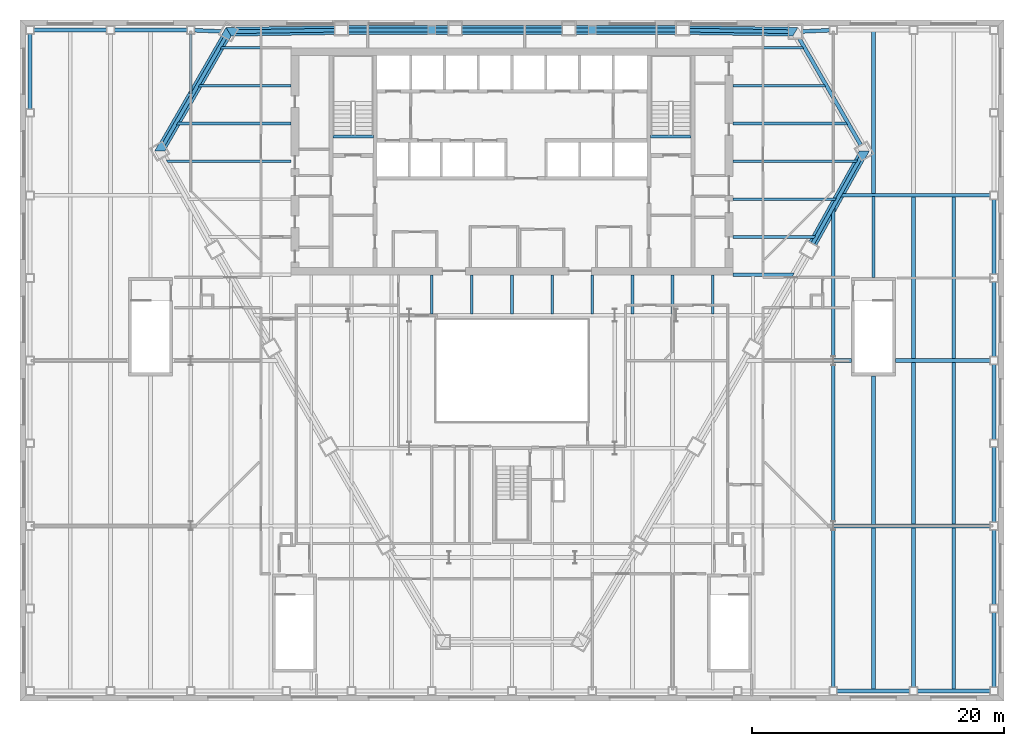
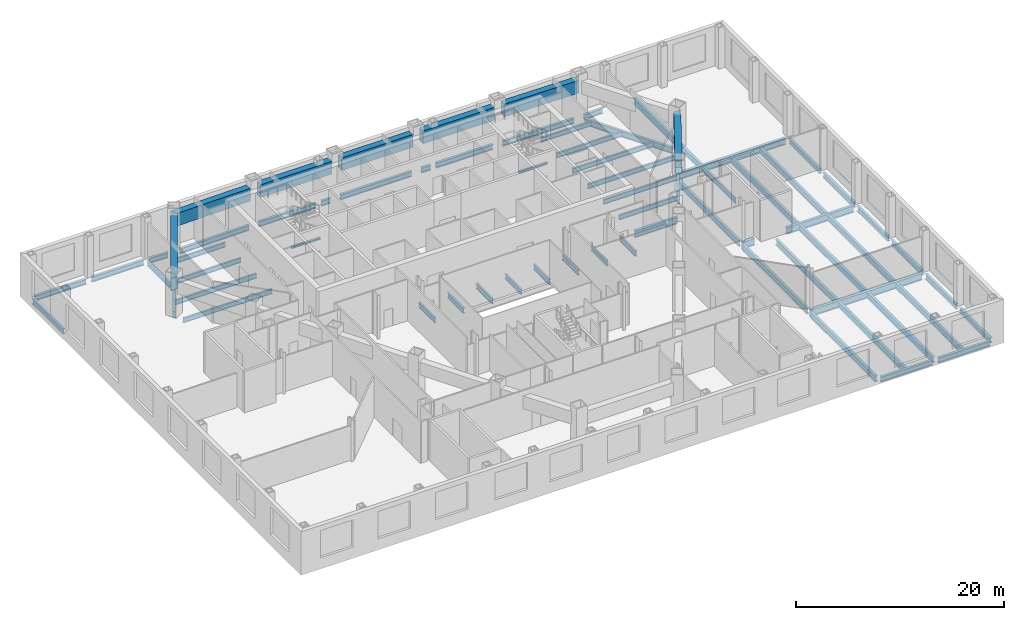
# One storey, part 6 of 17: 69 beams.
"""IFC4 building model written with IfcOpenShell, lengths in metres."""

from ifc_helpers import new_model, si_unit, direction, frame, origin, origin_2d, place, context, subcontext, project, spatial, hollow_rectangle, i_section, extrude, clip, halfspace, material, material_profile, profile_set, type_object, element, save


model = new_model("IFC4")

# Units and contexts
model_context = context("Model", 3, precision=1e-05, world=origin(), true_north=direction((0.0, 1.0)))
body_context = subcontext(model_context, "Body", "Model", "MODEL_VIEW")
ifc_project = project(units=[si_unit("LENGTHUNIT", "METRE"), si_unit("AREAUNIT", "SQUARE_METRE"), si_unit("VOLUMEUNIT", "CUBIC_METRE"), si_unit("PLANEANGLEUNIT", "RADIAN"), si_unit("MASSUNIT", "GRAM", prefix="KILO")], contexts=[model_context])

# Site, building, storey
site_placement = place(None, origin())
site = spatial("IfcSite", under=ifc_project, at=site_placement, CompositionType="ELEMENT")
building_placement = place(site_placement, origin())
building = spatial("IfcBuilding", under=site, at=building_placement, Name="Njiva Tower", CompositionType="ELEMENT")
storey_placement = place(building_placement, frame((0.0, 0.0, 23.7)))
storey = spatial("IfcBuildingStorey", under=building, at=storey_placement, Name="L04", CompositionType="ELEMENT", Elevation=23.7)

# Beams
ifc_material = material(Name="Steel S355 J2", Category="steel")
ifc_material_profile_1 = material_profile(ifc_material, i_section(OverallWidth=0.3, OverallDepth=0.69, WebThickness=0.0145, FlangeThickness=0.027, at=origin_2d()), Name="HEA 700")
ifc_profile_set_1 = profile_set([ifc_material_profile_1], Name="Steel S355 J2")
beam_type_1 = type_object("IfcBeamType", Name="B1 Long-span spandrel beam HEA 700", PredefinedType="SPANDREL", material=ifc_profile_set_1)
beam_1_placement = place(storey_placement, frame((-22.736, 18.791, -0.565), z_axis=(-0.499971337603, -0.866041951395, 0.0), x_axis=(0.866041951395, -0.499971337603, 0.0)))
element("IfcBeam", 1, at=beam_1_placement, inside=storey, type_object=beam_type_1, Name="Long-span spandrel beam L04-B147", PredefinedType="SPANDREL", context=body_context, shape_type="Clipping", body=[
    clip(extrude(i_section(OverallWidth=0.3, OverallDepth=0.69, WebThickness=0.0145, FlangeThickness=0.027, at=origin_2d()), origin(), (0.0, 0.0, 1.0), 9.8456), halfspace(frame((-0.0253, 0.0, 9.7239), z_axis=(-0.500030652022, 0.0, 0.866007706108), x_axis=(0.0, 1.0, 0.0)), False)),
])
beam_2_placement = place(storey_placement, frame((27.648, 10.284, -0.565), z_axis=(-0.500015802937, 0.866016279763, 0.0), x_axis=(-0.866016279763, -0.500015802937, 0.0)))
element("IfcBeam", 2, at=beam_2_placement, inside=storey, type_object=beam_type_1, Name="Long-span spandrel beam L04-B173", PredefinedType="SPANDREL", context=body_context, shape_type="Clipping", body=[
    clip(extrude(i_section(OverallWidth=0.3, OverallDepth=0.69, WebThickness=0.0145, FlangeThickness=0.027, at=origin_2d()), origin(), (0.0, 0.0, 1.0), 9.8447), halfspace(frame((-0.0248, 0.0, 9.7234), z_axis=(-0.500015802937, 0.0, 0.866016279763), x_axis=(0.0, 1.0, 0.0)), False)),
])
ifc_material_profile_2 = material_profile(ifc_material, i_section(OverallWidth=0.21, OverallDepth=0.55, WebThickness=0.0111, FlangeThickness=0.0172, at=origin_2d()), Name="IPE 550")
ifc_profile_set_2 = profile_set([ifc_material_profile_2], Name="Steel S355 J2")
beam_type_2 = type_object("IfcBeamType", Name="B10 Floor beam to the core IPE 550", PredefinedType="BEAM", material=ifc_profile_set_2)
beam_3_placement = place(storey_placement, frame((17.5, 3.0, -0.495), z_axis=(1.0, 0.0, 0.0), x_axis=(0.0, 1.0, 0.0)))
element("IfcBeam", 3, at=beam_3_placement, inside=storey, type_object=beam_type_2, Name="Floor beam to the core L04-B007", PredefinedType="BEAM", context=body_context, shape_type="Clipping", body=[
    clip(extrude(i_section(OverallWidth=0.21, OverallDepth=0.55, WebThickness=0.0111, FlangeThickness=0.0172, at=origin_2d()), origin(), (0.0, 0.0, 1.0), 6.591), halfspace(frame((-0.0244, 0.0, 6.4981), z_axis=(-0.487051738924, 0.0, 0.87337311821), x_axis=(0.0, 1.0, 0.0)), False)),
])
beam_4_placement = place(storey_placement, frame((17.5, 6.0, -0.495), z_axis=(1.0, 0.0, 0.0), x_axis=(0.0, 1.0, 0.0)))
element("IfcBeam", 4, at=beam_4_placement, inside=storey, type_object=beam_type_2, Name="Floor beam to the core L04-B008", PredefinedType="BEAM", context=body_context, shape_type="Clipping", body=[
    clip(extrude(i_section(OverallWidth=0.21, OverallDepth=0.55, WebThickness=0.0111, FlangeThickness=0.0172, at=origin_2d()), origin(), (0.0, 0.0, 1.0), 8.264), halfspace(frame((-0.0244, 0.0, 8.171), z_axis=(-0.487051738924, 0.0, 0.87337311821), x_axis=(0.0, 1.0, 0.0)), False)),
])
beam_5_placement = place(storey_placement, frame((-26.622, 12.0, -0.495), z_axis=(1.0, 0.0, 0.0), x_axis=(0.0, 1.0, 0.0)))
element("IfcBeam", 5, at=beam_5_placement, inside=storey, type_object=beam_type_2, Name="Floor beam to the core L04-B002", PredefinedType="BEAM", context=body_context, shape_type="Clipping", body=[
    clip(extrude(i_section(OverallWidth=0.21, OverallDepth=0.55, WebThickness=0.0111, FlangeThickness=0.0172, at=origin_2d()), origin(), (0.0, 0.0, 1.0), 9.122), halfspace(frame((0.025, 0.0, 0.0951), z_axis=(0.499998009787, 0.0, -0.866026552831), x_axis=(0.0, -1.0, 0.0)), False)),
])
beam_6_placement = place(storey_placement, frame((17.5, 12.0, -0.495), z_axis=(1.0, 0.0, 0.0), x_axis=(0.0, 1.0, 0.0)))
element("IfcBeam", 6, at=beam_6_placement, inside=storey, type_object=beam_type_2, Name="Floor beam to the core L04-B010", PredefinedType="BEAM", context=body_context, shape_type="Clipping", body=[
    clip(extrude(i_section(OverallWidth=0.21, OverallDepth=0.55, WebThickness=0.0111, FlangeThickness=0.0172, at=origin_2d()), origin(), (0.0, 0.0, 1.0), 9.122), halfspace(frame((0.025, 0.0, 9.0269), z_axis=(0.499998009787, 0.0, 0.866026552831), x_axis=(0.0, 1.0, 0.0)), False)),
])
beam_7_placement = place(storey_placement, frame((-24.89, 15.0, -0.495), z_axis=(1.0, 0.0, 0.0), x_axis=(0.0, 1.0, 0.0)))
element("IfcBeam", 7, at=beam_7_placement, inside=storey, type_object=beam_type_2, Name="Floor beam to the core L04-B004", PredefinedType="BEAM", context=body_context, shape_type="Clipping", body=[
    clip(extrude(i_section(OverallWidth=0.21, OverallDepth=0.55, WebThickness=0.0111, FlangeThickness=0.0172, at=origin_2d()), origin(), (0.0, 0.0, 1.0), 7.39), halfspace(frame((0.025, 0.0, 0.0951), z_axis=(0.499998009787, 0.0, -0.866026552831), x_axis=(0.0, -1.0, 0.0)), False)),
])
beam_8_placement = place(storey_placement, frame((17.5, 15.0, -0.495), z_axis=(1.0, 0.0, 0.0), x_axis=(0.0, 1.0, 0.0)))
element("IfcBeam", 8, at=beam_8_placement, inside=storey, type_object=beam_type_2, Name="Floor beam to the core L04-B011", PredefinedType="BEAM", context=body_context, shape_type="Clipping", body=[
    clip(extrude(i_section(OverallWidth=0.21, OverallDepth=0.55, WebThickness=0.0111, FlangeThickness=0.0172, at=origin_2d()), origin(), (0.0, 0.0, 1.0), 7.39), halfspace(frame((0.025, 0.0, 7.2949), z_axis=(0.499998009787, 0.0, 0.866026552831), x_axis=(0.0, 1.0, 0.0)), False)),
])
beam_9_placement = place(storey_placement, frame((-23.158, 18.0, -0.495), z_axis=(1.0, 0.0, 0.0), x_axis=(0.0, 1.0, 0.0)))
element("IfcBeam", 9, at=beam_9_placement, inside=storey, type_object=beam_type_2, Name="Floor beam to the core L04-B006", PredefinedType="BEAM", context=body_context, shape_type="Clipping", body=[
    clip(extrude(i_section(OverallWidth=0.21, OverallDepth=0.55, WebThickness=0.0111, FlangeThickness=0.0172, at=origin_2d()), origin(), (0.0, 0.0, 1.0), 5.658), halfspace(frame((0.025, 0.0, 0.0952), z_axis=(0.499998009787, 0.0, -0.866026552831), x_axis=(0.0, -1.0, 0.0)), False)),
])
beam_10_placement = place(storey_placement, frame((17.5, 18.0, -0.495), z_axis=(1.0, 0.0, 0.0), x_axis=(0.0, 1.0, 0.0)))
element("IfcBeam", 10, at=beam_10_placement, inside=storey, type_object=beam_type_2, Name="Floor beam to the core L04-B012", PredefinedType="BEAM", context=body_context, shape_type="Clipping", body=[
    clip(extrude(i_section(OverallWidth=0.21, OverallDepth=0.55, WebThickness=0.0111, FlangeThickness=0.0172, at=origin_2d()), origin(), (0.0, 0.0, 1.0), 5.658), halfspace(frame((0.025, 0.0, 5.5628), z_axis=(0.499998009787, 0.0, 0.866026552831), x_axis=(0.0, 1.0, 0.0)), False)),
])
ifc_material_profile_3 = material_profile(ifc_material, i_section(OverallWidth=0.21, OverallDepth=0.55, WebThickness=0.0111, FlangeThickness=0.0172, at=origin_2d()), Name="IPE 550")
ifc_profile_set_3 = profile_set([ifc_material_profile_3], Name="Steel S355 J2")
beam_type_3 = type_object("IfcBeamType", Name="B11 Long-span floor beam to the core IPE 550", PredefinedType="BEAM", material=ifc_profile_set_3)
beam_11_placement = place(storey_placement, frame((-27.437, 9.0, -0.495), z_axis=(1.0, 0.0, 0.0), x_axis=(0.0, 1.0, 0.0)))
element("IfcBeam", 11, at=beam_11_placement, inside=storey, type_object=beam_type_3, Name="Long-span floor beam to the core L04-B001", PredefinedType="BEAM", context=body_context, shape_type="Clipping", body=[
    clip(extrude(i_section(OverallWidth=0.21, OverallDepth=0.55, WebThickness=0.0111, FlangeThickness=0.0172, at=origin_2d()), origin(), (0.0, 0.0, 1.0), 9.937), halfspace(frame((-0.0244, 0.0, 0.093), z_axis=(-0.487051738924, 0.0, -0.87337311821), x_axis=(0.0, -1.0, 0.0)), False)),
])
beam_12_placement = place(storey_placement, frame((17.5, 9.0, -0.495), z_axis=(1.0, 0.0, 0.0), x_axis=(0.0, 1.0, 0.0)))
element("IfcBeam", 12, at=beam_12_placement, inside=storey, type_object=beam_type_3, Name="Long-span floor beam to the core L04-B009", PredefinedType="BEAM", context=body_context, shape_type="Clipping", body=[
    clip(extrude(i_section(OverallWidth=0.21, OverallDepth=0.55, WebThickness=0.0111, FlangeThickness=0.0172, at=origin_2d()), origin(), (0.0, 0.0, 1.0), 9.937), halfspace(frame((-0.0244, 0.0, 9.844), z_axis=(-0.487051738924, 0.0, 0.87337311821), x_axis=(0.0, 1.0, 0.0)), False)),
])
ifc_material_profile_4 = material_profile(ifc_material, i_section(OverallWidth=0.3, OverallDepth=0.69, WebThickness=0.0145, FlangeThickness=0.027, at=origin_2d()), Name="HEA 700")
ifc_profile_set_4 = profile_set([ifc_material_profile_4], Name="Steel S355 J2")
beam_type_4 = type_object("IfcBeamType", Name="B12 Long-span floor joist HEA 700", PredefinedType="JOIST", material=ifc_profile_set_4)
beam_13_placement = place(storey_placement, frame((25.467, 5.288, -0.565), z_axis=(0.0, -1.0, 0.0), x_axis=(1.0, 0.0, 0.0)))
element("IfcBeam", 13, at=beam_13_placement, inside=storey, type_object=beam_type_4, Name="Long-span floor joist L04-B116", PredefinedType="JOIST", context=body_context, shape_type="SweptSolid", body=[
    extrude(i_section(OverallWidth=0.3, OverallDepth=0.69, WebThickness=0.0145, FlangeThickness=0.027, at=origin_2d()), origin(), (0.0, 0.0, 1.0), 11.78),
])
beam_14_placement = place(storey_placement, frame((25.467, -7.108, -0.565), z_axis=(0.0, -1.0, 0.0), x_axis=(1.0, 0.0, 0.0)))
element("IfcBeam", 14, at=beam_14_placement, inside=storey, type_object=beam_type_4, Name="Long-span floor joist L04-B115", PredefinedType="JOIST", context=body_context, shape_type="SweptSolid", body=[
    extrude(i_section(OverallWidth=0.3, OverallDepth=0.69, WebThickness=0.0145, FlangeThickness=0.027, at=origin_2d()), origin(), (0.0, 0.0, 1.0), 12.484),
])
beam_15_placement = place(storey_placement, frame((25.467, -20.208, -0.565), z_axis=(0.0, -1.0, 0.0), x_axis=(1.0, 0.0, 0.0)))
element("IfcBeam", 15, at=beam_15_placement, inside=storey, type_object=beam_type_4, Name="Long-span floor joist L04-B114", PredefinedType="JOIST", context=body_context, shape_type="SweptSolid", body=[
    extrude(i_section(OverallWidth=0.3, OverallDepth=0.69, WebThickness=0.0145, FlangeThickness=0.027, at=origin_2d()), origin(), (0.0, 0.0, 1.0), 12.492),
])
beam_16_placement = place(storey_placement, frame((28.65, 19.3, -0.565), z_axis=(0.0, -1.0, 0.0), x_axis=(1.0, 0.0, 0.0)))
element("IfcBeam", 16, at=beam_16_placement, inside=storey, type_object=beam_type_4, Name="Long-span floor joist L04-B121", PredefinedType="JOIST", context=body_context, shape_type="SweptSolid", body=[
    extrude(i_section(OverallWidth=0.3, OverallDepth=0.69, WebThickness=0.0145, FlangeThickness=0.027, at=origin_2d()), origin(), (0.0, 0.0, 1.0), 12.9),
])
beam_17_placement = place(storey_placement, frame((28.65, -8.0, -0.565), z_axis=(0.0, -1.0, 0.0), x_axis=(1.0, 0.0, 0.0)))
element("IfcBeam", 17, at=beam_17_placement, inside=storey, type_object=beam_type_4, Name="Long-span floor joist L04-B119", PredefinedType="JOIST", context=body_context, shape_type="SweptSolid", body=[
    extrude(i_section(OverallWidth=0.3, OverallDepth=0.69, WebThickness=0.0145, FlangeThickness=0.027, at=origin_2d()), origin(), (0.0, 0.0, 1.0), 11.8),
])
for number, where, z_axis, x_axis, name in (
    (18, (28.65, -20.0, -0.565), (0.0, -1.0, 0.0), (1.0, 0.0, 0.0), "Long-span floor joist L04-B118"),
    (19, (31.833, 6.2, -0.565), (0.0, -1.0, 0.0), (1.0, 0.0, 0.0), "Long-span floor joist L04-B124"),
    (20, (31.833, -6.9, -0.565), (0.0, -1.0, 0.0), (1.0, 0.0, 0.0), "Long-span floor joist L04-B123"),
):
    element("IfcBeam", number, at=place(storey_placement, frame(where, z_axis=z_axis, x_axis=x_axis)), inside=storey, type_object=beam_type_4, Name=name, PredefinedType="JOIST", context=body_context, shape_type="SweptSolid", body=[
        extrude(i_section(OverallWidth=0.3, OverallDepth=0.69, WebThickness=0.0145, FlangeThickness=0.027, at=origin_2d()), origin(), (0.0, 0.0, 1.0), 12.9),
    ])
beam_18_placement = place(storey_placement, frame((31.833, -20.0, -0.565), z_axis=(0.0, -1.0, 0.0), x_axis=(1.0, 0.0, 0.0)))
element("IfcBeam", 21, at=beam_18_placement, inside=storey, type_object=beam_type_4, Name="Long-span floor joist L04-B122", PredefinedType="JOIST", context=body_context, shape_type="SweptSolid", body=[
    extrude(i_section(OverallWidth=0.3, OverallDepth=0.69, WebThickness=0.0145, FlangeThickness=0.027, at=origin_2d()), origin(), (0.0, 0.0, 1.0), 12.7),
])
for number, where, z_axis, x_axis, name in (
    (22, (35.017, 6.2, -0.565), (0.0, -1.0, 0.0), (1.0, 0.0, 0.0), "Long-span floor joist L04-B128"),
    (23, (35.017, -6.9, -0.565), (0.0, -1.0, 0.0), (1.0, 0.0, 0.0), "Long-span floor joist L04-B127"),
    (24, (35.017, -20.0, -0.565), (0.0, -1.0, 0.0), (1.0, 0.0, 0.0), "Long-span floor joist L04-B126"),
):
    element("IfcBeam", number, at=place(storey_placement, frame(where, z_axis=z_axis, x_axis=x_axis)), inside=storey, type_object=beam_type_4, Name=name, PredefinedType="JOIST", context=body_context, shape_type="SweptSolid", body=[
        extrude(i_section(OverallWidth=0.3, OverallDepth=0.69, WebThickness=0.0145, FlangeThickness=0.027, at=origin_2d()), origin(), (0.0, 0.0, 1.0), 12.9),
    ])
ifc_material_profile_5 = material_profile(ifc_material, i_section(OverallWidth=0.22, OverallDepth=0.6, WebThickness=0.012, FlangeThickness=0.019, at=origin_2d()), Name="IPE 600")
ifc_profile_set_5 = profile_set([ifc_material_profile_5], Name="Steel S355 J2")
beam_type_5 = type_object("IfcBeamType", Name="B13 Floor joist IPE 600", PredefinedType="JOIST", material=ifc_profile_set_5)
beam_19_placement = place(storey_placement, frame((-25.467, 19.1, -0.52), z_axis=(0.0, -1.0, 0.0), x_axis=(1.0, 0.0, 0.0)))
element("IfcBeam", 25, at=beam_19_placement, inside=storey, type_object=beam_type_5, Name="Floor joist L04-B051", PredefinedType="JOIST", context=body_context, shape_type="SweptSolid", body=[
    extrude(i_section(OverallWidth=0.22, OverallDepth=0.6, WebThickness=0.012, FlangeThickness=0.019, at=origin_2d()), origin(), (0.0, 0.0, 1.0), 4.772),
])
beam_20_placement = place(storey_placement, frame((28.65, 6.2, -0.52), z_axis=(0.0, -1.0, 0.0), x_axis=(1.0, 0.0, 0.0)))
element("IfcBeam", 26, at=beam_20_placement, inside=storey, type_object=beam_type_5, Name="Floor joist L04-B120", PredefinedType="JOIST", context=body_context, shape_type="SweptSolid", body=[
    extrude(i_section(OverallWidth=0.22, OverallDepth=0.6, WebThickness=0.012, FlangeThickness=0.019, at=origin_2d()), origin(), (0.0, 0.0, 1.0), 6.4),
])
ifc_material_profile_6 = material_profile(ifc_material, i_section(OverallWidth=0.22, OverallDepth=0.6, WebThickness=0.012, FlangeThickness=0.019, at=origin_2d()), Name="IPE 600")
ifc_profile_set_6 = profile_set([ifc_material_profile_6], Name="Steel S355 J2")
beam_type_6 = type_object("IfcBeamType", Name="B14 Short-span floor joist IPE 600", PredefinedType="JOIST", material=ifc_profile_set_6)
for number, where, z_axis, x_axis, name in (
    (27, (-6.367, -0.005, -0.52), (0.0, -1.0, 0.0), (1.0, 0.0, 0.0), "Short-span floor joist L04-B076"),
    (28, (-3.183, -0.005, -0.52), (0.0, -1.0, 0.0), (1.0, 0.0, 0.0), "Short-span floor joist L04-B080"),
    (29, (0.0, -0.005, -0.52), (0.0, -1.0, 0.0), (1.0, 0.0, 0.0), "Short-span floor joist L04-B084"),
    (30, (3.183, -0.005, -0.52), (0.0, -1.0, 0.0), (1.0, 0.0, 0.0), "Short-span floor joist L04-B088"),
    (31, (6.367, -0.005, -0.52), (0.0, -1.0, 0.0), (1.0, 0.0, 0.0), "Short-span floor joist L04-B092"),
):
    element("IfcBeam", number, at=place(storey_placement, frame(where, z_axis=z_axis, x_axis=x_axis)), inside=storey, type_object=beam_type_6, Name=name, PredefinedType="JOIST", context=body_context, shape_type="SweptSolid", body=[
        extrude(i_section(OverallWidth=0.22, OverallDepth=0.6, WebThickness=0.012, FlangeThickness=0.019, at=origin_2d()), origin(), (0.0, 0.0, 1.0), 3.094),
    ])
for number, where, z_axis, x_axis, name in (
    (32, (9.55, -0.005, -0.52), (0.0, -1.0, 0.0), (1.0, 0.0, 0.0), "Short-span floor joist L04-B096"),
    (33, (12.733, -0.005, -0.52), (0.0, -1.0, 0.0), (1.0, 0.0, 0.0), "Short-span floor joist L04-B101"),
    (34, (15.917, -0.005, -0.52), (0.0, -1.0, 0.0), (1.0, 0.0, 0.0), "Short-span floor joist L04-B106"),
):
    element("IfcBeam", number, at=place(storey_placement, frame(where, z_axis=z_axis, x_axis=x_axis)), inside=storey, type_object=beam_type_6, Name=name, PredefinedType="JOIST", context=body_context, shape_type="SweptSolid", body=[
        extrude(i_section(OverallWidth=0.22, OverallDepth=0.6, WebThickness=0.012, FlangeThickness=0.019, at=origin_2d()), origin(), (0.0, 0.0, 1.0), 3.095),
    ])
ifc_material_profile_7 = material_profile(ifc_material, i_section(OverallWidth=0.3, OverallDepth=0.6, WebThickness=0.0155, FlangeThickness=0.03, at=origin_2d()), Name="HEB 600")
ifc_profile_set_7 = profile_set([ifc_material_profile_7], Name="Steel S355 J2")
beam_type_7 = type_object("IfcBeamType", Name="B2 Spandrel beam HEB 600", PredefinedType="SPANDREL", material=ifc_profile_set_7)
beam_21_placement = place(storey_placement, frame((23.837, 2.482, -0.52), z_axis=(0.487077780218, 0.873358595319, 0.0), x_axis=(-0.873358595319, 0.487077780218, 0.0)))
element("IfcBeam", 35, at=beam_21_placement, inside=storey, type_object=beam_type_7, Name="Spandrel beam L04-B175", PredefinedType="SPANDREL", context=body_context, shape_type="Clipping", body=[
    clip(extrude(i_section(OverallWidth=0.3, OverallDepth=0.6, WebThickness=0.0155, FlangeThickness=0.03, at=origin_2d()), origin(), (0.0, 0.0, 1.0), 7.8582), halfspace(frame((-0.0257, 0.0, 7.7326), z_axis=(-0.51281381297, 0.0, 0.858499850453), x_axis=(0.0, 1.0, 0.0)), False)),
])
for number, where, z_axis, x_axis, name in (
    (36, (38.2, -32.7, -0.52), (0.0, 1.0, 0.0), (-1.0, 0.0, 0.0), "Spandrel beam L04-B180"),
    (37, (38.2, -26.15, -0.52), (0.0, 1.0, 0.0), (-1.0, 0.0, 0.0), "Spandrel beam L04-B181"),
    (38, (38.2, -19.6, -0.52), (0.0, 1.0, 0.0), (-1.0, 0.0, 0.0), "Spandrel beam L04-B182"),
    (39, (38.2, -13.05, -0.52), (0.0, 1.0, 0.0), (-1.0, 0.0, 0.0), "Spandrel beam L04-B183"),
    (40, (38.2, -6.5, -0.52), (0.0, 1.0, 0.0), (-1.0, 0.0, 0.0), "Spandrel beam L04-B184"),
    (41, (38.2, 0.05, -0.52), (0.0, 1.0, 0.0), (-1.0, 0.0, 0.0), "Spandrel beam L04-B185"),
    (42, (-38.2, 19.1, -0.52), (0.0, -1.0, 0.0), (1.0, 0.0, 0.0), "Spandrel beam L04-B141"),
):
    element("IfcBeam", number, at=place(storey_placement, frame(where, z_axis=z_axis, x_axis=x_axis)), inside=storey, type_object=beam_type_7, Name=name, PredefinedType="SPANDREL", context=body_context, shape_type="SweptSolid", body=[
        extrude(i_section(OverallWidth=0.3, OverallDepth=0.6, WebThickness=0.0155, FlangeThickness=0.03, at=origin_2d()), origin(), (0.0, 0.0, 1.0), 5.95),
    ])
beam_22_placement = place(storey_placement, frame((25.767, -33.0, -0.52), z_axis=(1.0, 0.0, 0.0), x_axis=(0.0, 1.0, 0.0)))
element("IfcBeam", 43, at=beam_22_placement, inside=storey, type_object=beam_type_7, Name="Spandrel beam L04-B176", PredefinedType="SPANDREL", context=body_context, shape_type="SweptSolid", body=[
    extrude(i_section(OverallWidth=0.3, OverallDepth=0.6, WebThickness=0.0155, FlangeThickness=0.03, at=origin_2d()), origin(), (0.0, 0.0, 1.0), 5.766),
])
for number, where, z_axis, x_axis, name in (
    (44, (32.133, -33.0, -0.52), (1.0, 0.0, 0.0), (0.0, 1.0, 0.0), "Spandrel beam L04-B178"),
    (45, (-37.9, 19.4, -0.52), (1.0, 0.0, 0.0), (0.0, 1.0, 0.0), "Spandrel beam L04-B143"),
):
    element("IfcBeam", number, at=place(storey_placement, frame(where, z_axis=z_axis, x_axis=x_axis)), inside=storey, type_object=beam_type_7, Name=name, PredefinedType="SPANDREL", context=body_context, shape_type="SweptSolid", body=[
        extrude(i_section(OverallWidth=0.3, OverallDepth=0.6, WebThickness=0.0155, FlangeThickness=0.03, at=origin_2d()), origin(), (0.0, 0.0, 1.0), 5.767),
    ])
beam_23_placement = place(storey_placement, frame((-31.533, 19.4, -0.52), z_axis=(1.0, 0.0, 0.0), x_axis=(0.0, 1.0, 0.0)))
element("IfcBeam", 46, at=beam_23_placement, inside=storey, type_object=beam_type_7, Name="Spandrel beam L04-B145", PredefinedType="SPANDREL", context=body_context, shape_type="SweptSolid", body=[
    extrude(i_section(OverallWidth=0.3, OverallDepth=0.6, WebThickness=0.0155, FlangeThickness=0.03, at=origin_2d()), origin(), (0.0, 0.0, 1.0), 5.766),
])
beam_24_placement = place(storey_placement, frame((-21.93, 19.2744, -0.52), z_axis=(0.99988785754, 0.014975725174, 0.0), x_axis=(-0.014975725174, 0.99988785754, 0.0)))
element("IfcBeam", 47, at=beam_24_placement, inside=storey, type_object=beam_type_7, Name="Spandrel beam L04-B151", PredefinedType="SPANDREL", context=body_context, shape_type="Clipping", body=[
    clip(extrude(i_section(OverallWidth=0.3, OverallDepth=0.6, WebThickness=0.0155, FlangeThickness=0.03, at=origin_2d()), origin(), (0.0, 0.0, 1.0), 7.8559), halfspace(frame((0.0261, 0.0, 0.1249), z_axis=(0.512911314429, 0.0, -0.858441601701), x_axis=(0.0, -1.0, 0.0)), False)),
])
beam_25_placement = place(storey_placement, frame((-12.973, 19.4, -0.52), z_axis=(1.0, 0.0, 0.0), x_axis=(0.0, 1.0, 0.0)))
element("IfcBeam", 48, at=beam_25_placement, inside=storey, type_object=beam_type_7, Name="Spandrel beam L04-B155", PredefinedType="SPANDREL", context=body_context, shape_type="SweptSolid", body=[
    extrude(i_section(OverallWidth=0.3, OverallDepth=0.6, WebThickness=0.0155, FlangeThickness=0.03, at=origin_2d()), origin(), (0.0, 0.0, 1.0), 6.306),
])
beam_26_placement = place(storey_placement, frame((-3.958, 19.4, -0.52), z_axis=(1.0, 0.0, 0.0), x_axis=(0.0, 1.0, 0.0)))
element("IfcBeam", 49, at=beam_26_placement, inside=storey, type_object=beam_type_7, Name="Spandrel beam L04-B161", PredefinedType="SPANDREL", context=body_context, shape_type="SweptSolid", body=[
    extrude(i_section(OverallWidth=0.3, OverallDepth=0.6, WebThickness=0.0155, FlangeThickness=0.03, at=origin_2d()), origin(), (0.0, 0.0, 1.0), 7.916),
])
beam_27_placement = place(storey_placement, frame((6.667, 19.4, -0.52), z_axis=(1.0, 0.0, 0.0), x_axis=(0.0, 1.0, 0.0)))
element("IfcBeam", 50, at=beam_27_placement, inside=storey, type_object=beam_type_7, Name="Spandrel beam L04-B166", PredefinedType="SPANDREL", context=body_context, shape_type="SweptSolid", body=[
    extrude(i_section(OverallWidth=0.3, OverallDepth=0.6, WebThickness=0.0155, FlangeThickness=0.03, at=origin_2d()), origin(), (0.0, 0.0, 1.0), 6.306),
])
beam_28_placement = place(storey_placement, frame((14.075, 19.392, -0.52), z_axis=(0.999888493047, -0.014933233812, 0.0), x_axis=(0.014933233812, 0.999888493047, 0.0)))
element("IfcBeam", 51, at=beam_28_placement, inside=storey, type_object=beam_type_7, Name="Spandrel beam L04-B169", PredefinedType="SPANDREL", context=body_context, shape_type="SweptSolid", body=[
    extrude(i_section(OverallWidth=0.3, OverallDepth=0.6, WebThickness=0.0155, FlangeThickness=0.03, at=origin_2d()), origin(), (0.0, 0.0, 1.0), 7.8349),
])
ifc_material_profile_8 = material_profile(ifc_material, i_section(OverallWidth=0.3, OverallDepth=0.6, WebThickness=0.0155, FlangeThickness=0.03, at=origin_2d()), Name="HEB 600")
ifc_profile_set_8 = profile_set([ifc_material_profile_8], Name="Steel S355 J2")
beam_type_8 = type_object("IfcBeamType", Name="B3 Short-span spandrel beam HEB 600", PredefinedType="SPANDREL", material=ifc_profile_set_8)
beam_29_placement = place(storey_placement, frame((-25.161, 19.386, -0.52), z_axis=(0.999024189577, -0.044166374551, 0.0), x_axis=(0.044166374551, 0.999024189577, 0.0)))
element("IfcBeam", 52, at=beam_29_placement, inside=storey, type_object=beam_type_8, Name="Short-span spandrel beam L04-B149", PredefinedType="SPANDREL", context=body_context, shape_type="Clipping", body=[
    clip(extrude(i_section(OverallWidth=0.3, OverallDepth=0.6, WebThickness=0.0155, FlangeThickness=0.03, at=origin_2d()), origin(), (0.0, 0.0, 1.0), 2.181), halfspace(frame((-0.0228, 0.0, 2.0707), z_axis=(-0.461260853414, 0.0, 0.887264574469), x_axis=(0.0, 1.0, 0.0)), False)),
])
for number, where, z_axis, x_axis, name in (
    (53, (-6.067, 19.4, -0.52), (1.0, 0.0, 0.0), (0.0, 1.0, 0.0), "Short-span spandrel beam L04-B159"),
    (54, (5.058, 19.4, -0.52), (1.0, 0.0, 0.0), (0.0, 1.0, 0.0), "Short-span spandrel beam L04-B163"),
):
    element("IfcBeam", number, at=place(storey_placement, frame(where, z_axis=z_axis, x_axis=x_axis)), inside=storey, type_object=beam_type_8, Name=name, PredefinedType="SPANDREL", context=body_context, shape_type="SweptSolid", body=[
        extrude(i_section(OverallWidth=0.3, OverallDepth=0.6, WebThickness=0.0155, FlangeThickness=0.03, at=origin_2d()), origin(), (0.0, 0.0, 1.0), 1.009),
    ])
beam_30_placement = place(storey_placement, frame((23.017, 19.291, -0.52), z_axis=(0.999019768344, 0.04426626772, 0.0), x_axis=(-0.04426626772, 0.999019768344, 0.0)))
element("IfcBeam", 55, at=beam_30_placement, inside=storey, type_object=beam_type_8, Name="Short-span spandrel beam L04-B174", PredefinedType="SPANDREL", context=body_context, shape_type="SweptSolid", body=[
    extrude(i_section(OverallWidth=0.3, OverallDepth=0.6, WebThickness=0.0155, FlangeThickness=0.03, at=origin_2d()), origin(), (0.0, 0.0, 1.0), 2.1461),
])
ifc_material_profile_9 = material_profile(ifc_material, i_section(OverallWidth=0.3, OverallDepth=0.79, WebThickness=0.015, FlangeThickness=0.028, at=origin_2d()), Name="HEA 800")
ifc_profile_set_9 = profile_set([ifc_material_profile_9], Name="Steel S355 J2")
beam_type_9 = type_object("IfcBeamType", Name="B4 Floor girder HEA 800", PredefinedType="BEAM", material=ifc_profile_set_9)
beam_31_placement = place(storey_placement, frame((17.5, 0.0, -0.615), z_axis=(1.0, 0.0, 0.0), x_axis=(0.0, 1.0, 0.0)))
element("IfcBeam", 56, at=beam_31_placement, inside=storey, type_object=beam_type_9, Name="Floor girder L04-B030", PredefinedType="BEAM", context=body_context, shape_type="Clipping", body=[
    clip(extrude(i_section(OverallWidth=0.3, OverallDepth=0.79, WebThickness=0.015, FlangeThickness=0.028, at=origin_2d()), origin(), (0.0, 0.0, 1.0), 4.905), halfspace(frame((-0.025, 0.0, 4.7839), z_axis=(-0.499998009787, 0.0, 0.866026552831), x_axis=(0.0, 1.0, 0.0)), False)),
])
beam_32_placement = place(storey_placement, frame((30.4, -6.8, -0.615), z_axis=(1.0, 0.0, 0.0), x_axis=(0.0, 1.0, 0.0)))
element("IfcBeam", 57, at=beam_32_placement, inside=storey, type_object=beam_type_9, Name="Floor girder L04-B035", PredefinedType="BEAM", context=body_context, shape_type="SweptSolid", body=[
    extrude(i_section(OverallWidth=0.3, OverallDepth=0.79, WebThickness=0.015, FlangeThickness=0.028, at=origin_2d()), origin(), (0.0, 0.0, 1.0), 7.5),
])
ifc_material_profile_10 = material_profile(ifc_material, i_section(OverallWidth=0.3, OverallDepth=0.79, WebThickness=0.015, FlangeThickness=0.028, at=origin_2d()), Name="HEA 800")
ifc_profile_set_10 = profile_set([ifc_material_profile_10], Name="Steel S355 J2")
beam_type_10 = type_object("IfcBeamType", Name="B5 Short-span floor girder HEA 800", PredefinedType="BEAM", material=ifc_profile_set_10)
beam_33_placement = place(storey_placement, frame((25.467, -6.8, -0.615), z_axis=(1.0, 0.0, 0.0), x_axis=(0.0, 1.0, 0.0)))
element("IfcBeam", 58, at=beam_33_placement, inside=storey, type_object=beam_type_10, Name="Short-span floor girder L04-B033", PredefinedType="BEAM", context=body_context, shape_type="SweptSolid", body=[
    extrude(i_section(OverallWidth=0.3, OverallDepth=0.79, WebThickness=0.015, FlangeThickness=0.028, at=origin_2d()), origin(), (0.0, 0.0, 1.0), 1.433),
])
ifc_material_profile_11 = material_profile(ifc_material, i_section(OverallWidth=0.3, OverallDepth=0.79, WebThickness=0.015, FlangeThickness=0.028, at=origin_2d()), Name="HEA 800")
ifc_profile_set_11 = profile_set([ifc_material_profile_11], Name="Steel S355 J2")
beam_type_11 = type_object("IfcBeamType", Name="B6 Long-span floor girder HEA 800", PredefinedType="BEAM", material=ifc_profile_set_11)
beam_34_placement = place(storey_placement, frame((26.035, 6.3, -0.615), z_axis=(1.0, 0.0, 0.0), x_axis=(0.0, 1.0, 0.0)))
element("IfcBeam", 59, at=beam_34_placement, inside=storey, type_object=beam_type_11, Name="Long-span floor girder L04-B034", PredefinedType="BEAM", context=body_context, shape_type="SweptSolid", body=[
    extrude(i_section(OverallWidth=0.3, OverallDepth=0.79, WebThickness=0.015, FlangeThickness=0.028, at=origin_2d()), origin(), (0.0, 0.0, 1.0), 11.865),
])
beam_35_placement = place(storey_placement, frame((25.467, -19.9, -0.615), z_axis=(1.0, 0.0, 0.0), x_axis=(0.0, 1.0, 0.0)))
element("IfcBeam", 60, at=beam_35_placement, inside=storey, type_object=beam_type_11, Name="Long-span floor girder L04-B032", PredefinedType="BEAM", context=body_context, shape_type="SweptSolid", body=[
    extrude(i_section(OverallWidth=0.3, OverallDepth=0.79, WebThickness=0.015, FlangeThickness=0.028, at=origin_2d()), origin(), (0.0, 0.0, 1.0), 12.433),
])
ifc_material_profile_12 = material_profile(ifc_material, i_section(OverallWidth=0.24, OverallDepth=0.23, WebThickness=0.0075, FlangeThickness=0.012, at=origin_2d()), Name="HEA240")
ifc_profile_set_12 = profile_set([ifc_material_profile_12], Name="Steel S355 J2")
beam_type_12 = type_object("IfcBeamType", Name="FL8 Landing beam HEA 240", PredefinedType="BEAM", material=ifc_profile_set_12)
for number, where, z_axis, x_axis, name in (
    (61, (-14.206, 10.98, 2.235), (1.0, 0.0, 0.0), (0.0, 1.0, 0.0), "Landing beam"),
    (62, (10.994, 10.98, 2.235), (1.0, 0.0, 0.0), (0.0, 1.0, 0.0), "Landing beam"),
):
    element("IfcBeam", number, at=place(storey_placement, frame(where, z_axis=z_axis, x_axis=x_axis)), inside=storey, type_object=beam_type_12, Name=name, PredefinedType="BEAM", context=body_context, shape_type="SweptSolid", body=[
        extrude(i_section(OverallWidth=0.24, OverallDepth=0.23, WebThickness=0.0075, FlangeThickness=0.012, at=origin_2d()), origin(), (0.0, 0.0, 1.0), 3.212),
    ])
ifc_material_profile_13 = material_profile(ifc_material, hollow_rectangle(XDim=0.7, YDim=1.5, WallThickness=0.07, at=origin_2d()), Name="BOX 1500x700x70")
ifc_profile_set_13 = profile_set([ifc_material_profile_13], Name="Steel S355 J2")
beam_type_13 = type_object("IfcBeamType", Name="TG1 Transfer girder BOX 1500x700x70", PredefinedType="BEAM", material=ifc_profile_set_13)
beam_36_placement = place(storey_placement, frame((22.69, 19.2636, 3.5), z_axis=(-0.999888847641, 0.01490947226, 0.0), x_axis=(-0.01490947226, -0.999888847641, 0.0)))
element("IfcBeam", 63, at=beam_36_placement, inside=storey, type_object=beam_type_13, Name="Transfer girder TG-01", PredefinedType="BEAM", context=body_context, shape_type="Clipping", body=[
    clip(extrude(hollow_rectangle(XDim=0.7, YDim=1.5, WallThickness=0.07, at=origin_2d()), origin(), (0.0, 0.0, 1.0), 8.6129), halfspace(frame((0.0001, 0.0, 0.2287), z_axis=(0.493518027528, 0.0, -0.869735567), x_axis=(0.0, -1.0, 0.0)), False)),
])
beam_37_placement = place(storey_placement, frame((12.973, 19.4, 3.5), z_axis=(-1.0, 0.0, 0.0), x_axis=(0.0, -1.0, 0.0)))
element("IfcBeam", 64, at=beam_37_placement, inside=storey, type_object=beam_type_13, Name="Transfer girder TG-02", PredefinedType="BEAM", context=body_context, shape_type="SweptSolid", body=[
    extrude(hollow_rectangle(XDim=0.7, YDim=1.5, WallThickness=0.07, at=origin_2d()), origin(), (0.0, 0.0, 1.0), 7.915),
])
beam_38_placement = place(storey_placement, frame((3.958, 19.4, 3.5), z_axis=(-1.0, 0.0, 0.0), x_axis=(0.0, -1.0, 0.0)))
element("IfcBeam", 65, at=beam_38_placement, inside=storey, type_object=beam_type_13, Name="Transfer girder TG-03", PredefinedType="BEAM", context=body_context, shape_type="SweptSolid", body=[
    extrude(hollow_rectangle(XDim=0.7, YDim=1.5, WallThickness=0.07, at=origin_2d()), origin(), (0.0, 0.0, 1.0), 7.916),
])
beam_39_placement = place(storey_placement, frame((-5.058, 19.4, 3.5), z_axis=(-1.0, 0.0, 0.0), x_axis=(0.0, -1.0, 0.0)))
element("IfcBeam", 66, at=beam_39_placement, inside=storey, type_object=beam_type_13, Name="Transfer girder TG-04", PredefinedType="BEAM", context=body_context, shape_type="SweptSolid", body=[
    extrude(hollow_rectangle(XDim=0.7, YDim=1.5, WallThickness=0.07, at=origin_2d()), origin(), (0.0, 0.0, 1.0), 7.915),
])
beam_40_placement = place(storey_placement, frame((-14.078, 19.392, 3.5), z_axis=(-0.999888847641, -0.01490947226, 0.0), x_axis=(0.01490947226, -0.999888847641, 0.0)))
element("IfcBeam", 67, at=beam_40_placement, inside=storey, type_object=beam_type_13, Name="Transfer girder TG-05", PredefinedType="BEAM", context=body_context, shape_type="Clipping", body=[
    clip(extrude(hollow_rectangle(XDim=0.7, YDim=1.5, WallThickness=0.07, at=origin_2d()), origin(), (0.0, 0.0, 1.0), 8.6129), halfspace(frame((0.0001, 0.0, 8.3842), z_axis=(0.493518027528, 0.0, 0.869735567), x_axis=(0.0, 1.0, 0.0)), False)),
])
beam_41_placement = place(storey_placement, frame((-22.3465, 19.4653, 3.5), z_axis=(-0.500057937927, -0.865991950723, 0.0), x_axis=(0.865991950723, -0.500057937927, 0.0)))
element("IfcBeam", 68, at=beam_41_placement, inside=storey, type_object=beam_type_13, Name="Transfer girder TG-06", PredefinedType="BEAM", context=body_context, shape_type="Clipping", body=[
    clip(clip(extrude(hollow_rectangle(XDim=0.7, YDim=1.5, WallThickness=0.07, at=origin_2d()), origin(), (0.0, 0.0, 1.0), 11.3807), halfspace(frame((-0.0002, 0.0, 0.2292), z_axis=(0.493483655891, 0.0, -0.869755069757), x_axis=(0.0, -1.0, 0.0)), False)), halfspace(frame((0.0006, 0.0, 11.1517), z_axis=(0.493592405901, 0.0, 0.869693357936), x_axis=(0.0, 1.0, 0.0)), False)),
])
beam_42_placement = place(storey_placement, frame((23.839, 2.485, 3.5), z_axis=(0.487070063943, 0.873362898691, 0.0), x_axis=(-0.873362898691, 0.487070063943, 0.0)))
element("IfcBeam", 69, at=beam_42_placement, inside=storey, type_object=beam_type_13, Name="Transfer girder TG-17", PredefinedType="BEAM", context=body_context, shape_type="Clipping", body=[
    clip(extrude(hollow_rectangle(XDim=0.7, YDim=1.5, WallThickness=0.07, at=origin_2d()), origin(), (0.0, 0.0, 1.0), 8.6138), halfspace(frame((0.0003, 0.0, 8.3843), z_axis=(0.493563115116, 0.0, 0.869709981199), x_axis=(0.0, 1.0, 0.0)), False)),
])

save(model, "model.ifc")
